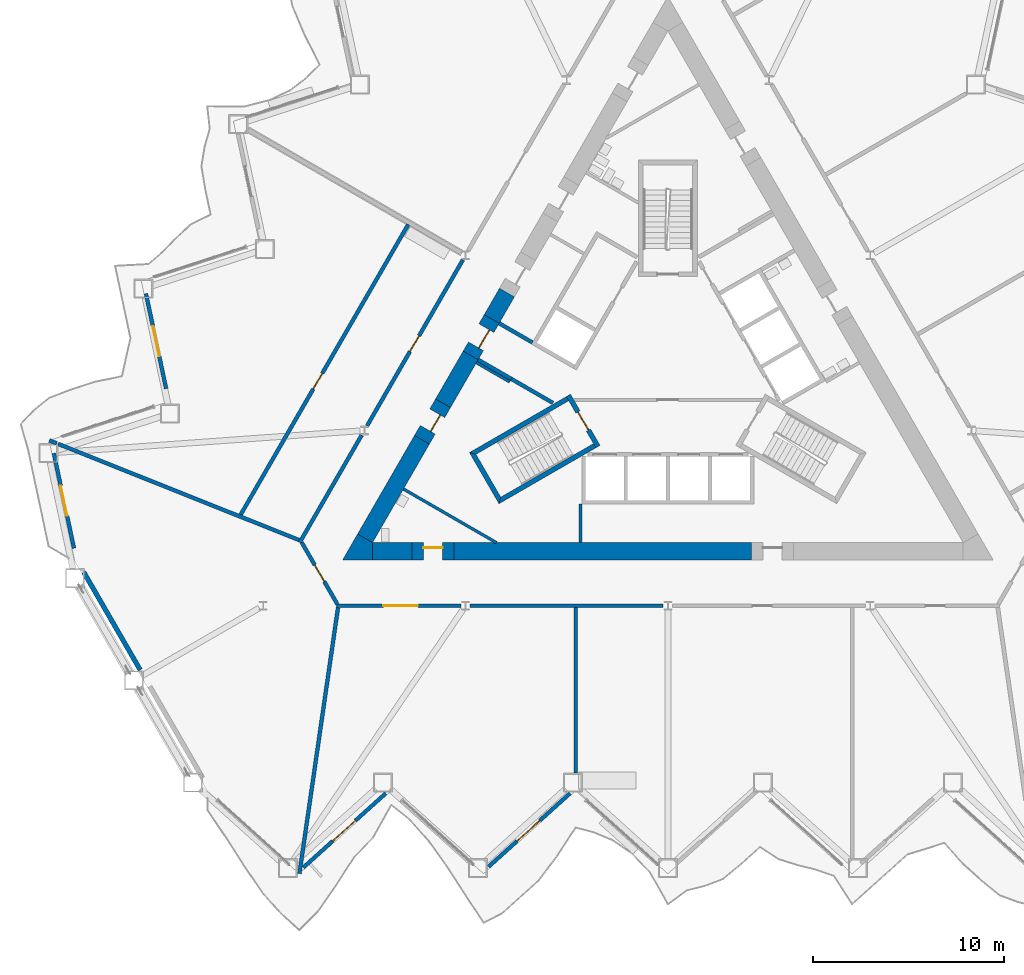
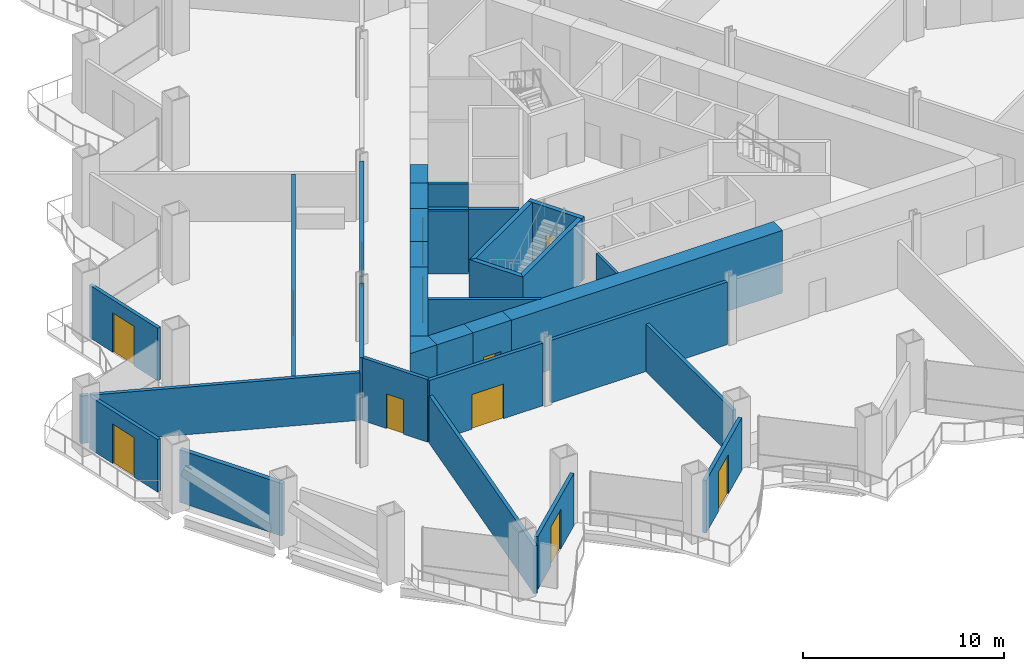
# One storey, part 9 of 20: 34 walls, 12 doors, 12 openings.
"""IFC4 building model written with IfcOpenShell, lengths in metres."""

from ifc_helpers import new_model, si_unit, direction, frame, frame_2d, origin, place, context, subcontext, project, spatial, polyline, rectangle, outline, extrude, material, layer, layer_set, type_object, element, fill, save


model = new_model("IFC4")

# Units and contexts
model_context = context("Model", 3, precision=1e-05, world=origin(), true_north=direction((0.0, 1.0)))
body_context = subcontext(model_context, "Body", "Model", "MODEL_VIEW")
ifc_project = project(units=[si_unit("LENGTHUNIT", "METRE"), si_unit("AREAUNIT", "SQUARE_METRE"), si_unit("VOLUMEUNIT", "CUBIC_METRE"), si_unit("PLANEANGLEUNIT", "RADIAN"), si_unit("MASSUNIT", "GRAM", prefix="KILO")], contexts=[model_context])

# Site, building, storey
site_placement = place(None, origin())
site = spatial("IfcSite", under=ifc_project, at=site_placement, CompositionType="ELEMENT")
building_placement = place(site_placement, origin())
building = spatial("IfcBuilding", under=site, at=building_placement, Name="Cormorant Prow Tower", CompositionType="ELEMENT")
storey_placement = place(building_placement, frame((0.0, 0.0, 34.199951171875)))
storey = spatial("IfcBuildingStorey", under=building, at=storey_placement, Name="L06", CompositionType="ELEMENT", Elevation=34.199951171875)

# Walls
ifc_material_1 = material(Name="Gypsum board partition")
ifc_layer_1 = layer(ifc_material_1, 0.14990234375)
ifc_layer_set_1 = layer_set([ifc_layer_1], Name="Gypsum board partition")
wall_type_1 = type_object("IfcWallType", Name="Core partition 150", PredefinedType="PARTITIONING", material=ifc_layer_set_1)
wall_1_placement = place(storey_placement, frame((-8.268310546875, -0.509033203125, 0.0), z_axis=(0.0, 0.0, 1.0), x_axis=(-0.866035824272, 0.499981950752, 0.0)))
element("IfcWall", 1, at=wall_1_placement, inside=storey, type_object=wall_type_1, Name="Service room partition", PredefinedType="PARTITIONING", context=body_context, shape_type="SweptSolid", body=[
    extrude(rectangle(XDim=2.0087890625, YDim=0.14990234375, at=frame_2d((1.00439453125, 0.0))), origin(), (0.0, 0.0, 1.0), 3.800048828125),
])
wall_2_placement = place(storey_placement, frame((-4.574951171875, -6.906005859375, 0.0), z_axis=(0.0, 0.0, 1.0), x_axis=(0.0, -1.0, 0.0)))
element("IfcWall", 2, at=wall_2_placement, inside=storey, type_object=wall_type_1, Name="Service room partition", PredefinedType="PARTITIONING", context=body_context, shape_type="SweptSolid", body=[
    extrude(rectangle(XDim=2.009033203125, YDim=0.14990234375, at=frame_2d((1.00439453125, 0.0))), origin(), (0.0, 0.0, 1.0), 3.800048828125),
])
wall_3_placement = place(storey_placement, frame((-13.822509765625, -6.111328125, 0.0), z_axis=(0.0, 0.0, 1.0), x_axis=(0.866026802741, -0.499997576928, 0.0)))
element("IfcWall", 3, at=wall_3_placement, inside=storey, type_object=wall_type_1, Name="Service room partition", PredefinedType="PARTITIONING", context=body_context, shape_type="SweptSolid", body=[
    extrude(rectangle(XDim=5.607421875, YDim=0.14990234375, at=frame_2d((2.8037109375, 0.0))), origin(), (0.0, 0.0, 1.0), 3.800048828125),
])
ifc_material_2 = material(Name="Concrete 8000 psi", Category="concrete")
ifc_layer_2 = layer(ifc_material_2, 0.89990234375)
ifc_layer_set_2 = layer_set([ifc_layer_2], Name="Concrete 8000 psi")
wall_type_2 = type_object("IfcWallType", Name="Core shear wall 900", PredefinedType="SHEAR", material=ifc_layer_set_2)
wall_4_placement = place(storey_placement, frame((-11.178955078125, -9.364990234375, 0.0), z_axis=(0.0, 0.0, 1.0), x_axis=(1.0, 0.0, 0.0)))
element("IfcWall", 4, at=wall_4_placement, inside=storey, type_object=wall_type_2, Name="Core wall", PredefinedType="SHEAR", context=body_context, shape_type="SweptSolid", body=[
    extrude(rectangle(XDim=15.549560546875, YDim=0.89990234375, at=frame_2d((7.77490234375, 0.0))), origin(), (0.0, 0.0, 1.0), 3.800048828125),
])
wall_5_placement = place(storey_placement, frame((-15.441162109375, -9.364990234375, 0.0), z_axis=(0.0, 0.0, 1.0), x_axis=(1.0, 0.0, 0.0)))
element("IfcWall", 5, at=wall_5_placement, inside=storey, type_object=wall_type_2, Name="Core wall", PredefinedType="SHEAR", context=body_context, shape_type="SweptSolid", body=[
    extrude(rectangle(XDim=2.062255859375, YDim=0.89990234375, at=frame_2d((1.03125, 0.0))), origin(), (0.0, 0.0, 1.0), 3.800048828125),
])
wall_6_placement = place(storey_placement, frame((-12.85498046875, -3.53564453125, 0.0), z_axis=(0.0, 0.0, 1.0), x_axis=(-0.499999419053, -0.866025739194, 0.0)))
element("IfcWall", 6, at=wall_6_placement, inside=storey, type_object=wall_type_2, Name="Core wall", PredefinedType="SHEAR", context=body_context, shape_type="SweptSolid", body=[
    extrude(rectangle(XDim=5.95166015625, YDim=0.89990234375, at=frame_2d((2.975830078125, 0.0))), origin(), (0.0, 0.0, 1.0), 3.800048828125),
])
wall_7_placement = place(storey_placement, frame((-10.310302734375, 0.8720703125, 0.0), z_axis=(0.0, 0.0, 1.0), x_axis=(-0.499946751862, -0.866056144429, 0.0)))
element("IfcWall", 7, at=wall_7_placement, inside=storey, type_object=wall_type_2, Name="Core wall", PredefinedType="SHEAR", context=body_context, shape_type="SweptSolid", body=[
    extrude(rectangle(XDim=2.889404296875, YDim=0.89990234375, at=frame_2d((1.44482421875, 0.0))), origin(), (0.0, 0.0, 1.0), 3.800048828125),
])
wall_8_placement = place(storey_placement, frame((-8.413330078125, 4.157470703125, 0.0), z_axis=(0.0, 0.0, 1.0), x_axis=(-0.499961121316, -0.86604784924, 0.0)))
element("IfcWall", 8, at=wall_8_placement, inside=storey, type_object=wall_type_2, Name="Core wall", PredefinedType="SHEAR", context=body_context, shape_type="SweptSolid", body=[
    extrude(rectangle(XDim=1.593994140625, YDim=0.89990234375, at=frame_2d((0.796875, 0.0))), origin(), (0.0, 0.0, 1.0), 3.800048828125),
])
wall_9_placement = place(storey_placement, origin())
element("IfcWall", 9, at=wall_9_placement, inside=storey, type_object=wall_type_2, Name="Core wall corner", PredefinedType="SHEAR", context=body_context, shape_type="SweptSolid", body=[
    extrude(outline(polyline([(-16.220703125, -8.465087890625), (-15.441162109375, -8.9150390625), (-15.441162109375, -9.81494140625), (-17.0, -9.81494140625), (-16.220703125, -8.465087890625)])), origin(), (0.0, 0.0, 1.0), 3.800048828125),
])

# Wall, opening, door
wall_10_placement = place(storey_placement, frame((-13.37890625, -9.364990234375, 0.0), z_axis=(0.0, 0.0, 1.0), x_axis=(1.0, 0.0, 0.0)))
wall_10 = element("IfcWall", 10, at=wall_10_placement, inside=storey, type_object=wall_type_2, Name="Core wall door panel", PredefinedType="SHEAR", context=body_context, shape_type="SweptSolid", body=[
    extrude(rectangle(XDim=2.199951171875, YDim=0.89990234375, at=frame_2d((1.10009765625, 0.0))), origin(), (0.0, 0.0, 1.0), 3.800048828125),
])
opening_1_placement = place(wall_10_placement, frame((0.60009765625, 0.0, 0.0)))
opening_1 = element("IfcOpeningElement", 11, at=opening_1_placement, cuts=wall_10, Name="Opening L06-C14", PredefinedType="OPENING", context=body_context, shape_type="SweptSolid", body=[
    extrude(rectangle(XDim=1.0, YDim=2.10009765625, at=frame_2d((0.5, 1.050048828125))), frame((0.0, 0.4599609375, 0.0), z_axis=(0.0, -1.0, 0.0), x_axis=(1.0, 0.0, 0.0)), (0.0, 0.0, 1.0), 0.919921875),
])
ifc_material_3 = material(Name="Painted steel", Category="steel")
door_type_1 = type_object("IfcDoorType", Name="Service door 1000x2100", OperationType="NOTDEFINED", PredefinedType="DOOR", material=ifc_material_3)
door_1_placement = place(opening_1_placement, origin())
door_1 = element("IfcDoor", 12, at=door_1_placement, inside=storey, type_object=door_type_1, Name="Core door, Accessible WC L06", OperationType="SINGLE_SWING_RIGHT", OverallHeight=2.10009765625, OverallWidth=1.0, PredefinedType="DOOR", context=body_context, shape_type="SweptSolid", body=[
    extrude(rectangle(XDim=1.0, YDim=2.10009765625, at=frame_2d((0.5, 1.050048828125))), frame((0.0, 0.205078125, 0.0), z_axis=(0.0, -1.0, 0.0), x_axis=(1.0, 0.0, 0.0)), (0.0, 0.0, 1.0), 0.050048828125),
])
fill(opening_1, door_1)

wall_11_placement = place(storey_placement, frame((-11.7548828125, -1.63037109375, 0.0), z_axis=(0.0, 0.0, 1.0), x_axis=(-0.50002983664, -0.866008176907, 0.0)))
wall_11 = element("IfcWall", 13, at=wall_11_placement, inside=storey, type_object=wall_type_2, Name="Core wall door panel", PredefinedType="SHEAR", context=body_context, shape_type="SweptSolid", body=[
    extrude(rectangle(XDim=2.199951171875, YDim=0.89990234375, at=frame_2d((1.10009765625, 0.0))), origin(), (0.0, 0.0, 1.0), 3.800048828125),
])
opening_2_placement = place(wall_11_placement, frame((0.60009765625, 0.0, 0.0)))
opening_2 = element("IfcOpeningElement", 14, at=opening_2_placement, cuts=wall_11, Name="Opening L06-C16", PredefinedType="OPENING", context=body_context, shape_type="SweptSolid", body=[
    extrude(rectangle(XDim=1.0, YDim=2.10009765625, at=frame_2d((0.5, 1.050048828125))), frame((0.0, 0.4599609375, 0.0), z_axis=(0.0, -1.0, 0.0), x_axis=(1.0, 0.0, 0.0)), (0.0, 0.0, 1.0), 0.919921875),
])
door_2_placement = place(opening_2_placement, origin())
door_2 = element("IfcDoor", 15, at=door_2_placement, inside=storey, type_object=door_type_1, Name="Core door, Linen store", OperationType="SINGLE_SWING_RIGHT", OverallHeight=2.10009765625, OverallWidth=1.0, PredefinedType="DOOR", context=body_context, shape_type="SweptSolid", body=[
    extrude(rectangle(XDim=1.0, YDim=2.10009765625, at=frame_2d((0.5, 1.050048828125))), frame((0.0, 0.205078125, 0.0), z_axis=(0.0, -1.0, 0.0), x_axis=(1.0, 0.0, 0.0)), (0.0, 0.0, 1.0), 0.050048828125),
])
fill(opening_2, door_2)

wall_12_placement = place(storey_placement, frame((-9.210205078125, 2.777099609375, 0.0), z_axis=(0.0, 0.0, 1.0), x_axis=(-0.500077893725, -0.86598042715, 0.0)))
wall_12 = element("IfcWall", 16, at=wall_12_placement, inside=storey, type_object=wall_type_2, Name="Core wall door panel", PredefinedType="SHEAR", context=body_context, shape_type="SweptSolid", body=[
    extrude(rectangle(XDim=2.199951171875, YDim=0.89990234375, at=frame_2d((1.10009765625, 0.0))), origin(), (0.0, 0.0, 1.0), 3.800048828125),
])
opening_3_placement = place(wall_12_placement, frame((0.550048828125, 0.0, 0.0)))
opening_3 = element("IfcOpeningElement", 17, at=opening_3_placement, cuts=wall_12, Name="Opening L06-C22", PredefinedType="OPENING", context=body_context, shape_type="SweptSolid", body=[
    extrude(rectangle(XDim=1.10009765625, YDim=2.10009765625, at=frame_2d((0.550048828125, 1.050048828125))), frame((0.0, 0.4599609375, 0.0), z_axis=(0.0, -1.0, 0.0), x_axis=(1.0, 0.0, 0.0)), (0.0, 0.0, 1.0), 0.919921875),
])
ifc_material_4 = material(Name="Painted steel", Category="steel")
door_type_2 = type_object("IfcDoorType", Name="Core door 1100x2100", OperationType="NOTDEFINED", PredefinedType="DOOR", material=ifc_material_4)
door_3_placement = place(opening_3_placement, origin())
door_3 = element("IfcDoor", 18, at=door_3_placement, inside=storey, type_object=door_type_2, Name="Core door, lift lobby", OperationType="SINGLE_SWING_RIGHT", OverallHeight=2.10009765625, OverallWidth=1.10009765625, PredefinedType="DOOR", context=body_context, shape_type="SweptSolid", body=[
    extrude(rectangle(XDim=1.10009765625, YDim=2.10009765625, at=frame_2d((0.550048828125, 1.050048828125))), frame((0.0, 0.205078125, 0.0), z_axis=(0.0, -1.0, 0.0), x_axis=(1.0, 0.0, 0.0)), (0.0, 0.0, 1.0), 0.050048828125),
])
fill(opening_3, door_3)

# Wall
ifc_material_5 = material(Name="Gypsum board corridor wall")
ifc_layer_3 = layer(ifc_material_5, 0.199951171875)
ifc_layer_set_3 = layer_set([ifc_layer_3], Name="Gypsum board corridor wall")
wall_type_3 = type_object("IfcWallType", Name="Corridor wall 200", PredefinedType="PARTITIONING", material=ifc_layer_set_3)
wall_13_placement = place(storey_placement, frame((-10.336181640625, -12.215087890625, 0.0), z_axis=(0.0, 0.0, 1.0), x_axis=(1.0, 0.0, 0.0)))
element("IfcWall", 19, at=wall_13_placement, inside=storey, type_object=wall_type_3, Name="Corridor wall", PredefinedType="PARTITIONING", context=body_context, shape_type="SweptSolid", body=[
    extrude(rectangle(XDim=10.093994140625, YDim=0.199951171875, at=frame_2d((5.046875, 0.0))), origin(), (0.0, 0.0, 1.0), 3.800048828125),
])

# Wall, opening, door
wall_14_placement = place(storey_placement, frame((-15.727783203125, -2.811279296875, 0.0), z_axis=(0.0, 0.0, 1.0), x_axis=(0.49999175339, 0.866030164915, 0.0)))
wall_14 = element("IfcWall", 20, at=wall_14_placement, inside=storey, type_object=wall_type_3, Name="Corridor wall", PredefinedType="PARTITIONING", context=body_context, shape_type="SweptSolid", body=[
    extrude(rectangle(XDim=10.018798828125, YDim=0.199951171875, at=frame_2d((5.00927734375, 0.0))), origin(), (0.0, 0.0, 1.0), 3.800048828125),
])
opening_4_placement = place(wall_14_placement, frame((4.484130859375, 0.0, 0.0)))
opening_4 = element("IfcOpeningElement", 21, at=opening_4_placement, cuts=wall_14, Name="Opening L06-F12", PredefinedType="OPENING", context=body_context, shape_type="SweptSolid", body=[
    extrude(rectangle(XDim=0.949951171875, YDim=2.10009765625, at=frame_2d((0.47509765625, 1.050048828125))), frame((0.0, 0.10986328125, 0.0), z_axis=(0.0, -1.0, 0.0), x_axis=(1.0, 0.0, 0.0)), (0.0, 0.0, 1.0), 0.219970703125),
])
ifc_material_6 = material(Name="Timber door leaf", Category="wood")
door_type_3 = type_object("IfcDoorType", Name="Store door 950x2100", OperationType="NOTDEFINED", PredefinedType="DOOR", material=ifc_material_6)
door_4_placement = place(opening_4_placement, origin())
door_4 = element("IfcDoor", 22, at=door_4_placement, inside=storey, type_object=door_type_3, Name="Tea point and pantry door", OperationType="SINGLE_SWING_RIGHT", OverallHeight=2.10009765625, OverallWidth=0.949951171875, PredefinedType="DOOR", context=body_context, shape_type="SweptSolid", body=[
    extrude(rectangle(XDim=0.949951171875, YDim=2.10009765625, at=frame_2d((0.47509765625, 1.050048828125))), frame((0.0, 0.02490234375, 0.0), z_axis=(0.0, -1.0, 0.0), x_axis=(1.0, 0.0, 0.0)), (0.0, 0.0, 1.0), 0.050048828125),
])
fill(opening_4, door_4)

wall_15_placement = place(storey_placement, frame((-17.330810546875, -12.215087890625, 0.0), z_axis=(0.0, 0.0, 1.0), x_axis=(1.0, 0.0, 0.0)))
wall_15 = element("IfcWall", 23, at=wall_15_placement, inside=storey, type_object=wall_type_3, Name="Corridor wall", PredefinedType="PARTITIONING", context=body_context, shape_type="SweptSolid", body=[
    extrude(rectangle(XDim=6.510009765625, YDim=0.199951171875, at=frame_2d((3.2548828125, 0.0))), origin(), (0.0, 0.0, 1.0), 3.800048828125),
])
opening_5_placement = place(wall_15_placement, frame((2.455322265625, 0.0, 0.0)))
opening_5 = element("IfcOpeningElement", 24, at=opening_5_placement, cuts=wall_15, Name="Opening L06-F01", PredefinedType="OPENING", context=body_context, shape_type="SweptSolid", body=[
    extrude(rectangle(XDim=1.800048828125, YDim=2.10009765625, at=frame_2d((0.89990234375, 1.050048828125))), frame((0.0, 0.10986328125, 0.0), z_axis=(0.0, -1.0, 0.0), x_axis=(1.0, 0.0, 0.0)), (0.0, 0.0, 1.0), 0.219970703125),
])
ifc_material_7 = material(Name="Timber door leaf", Category="wood")
door_type_4 = type_object("IfcDoorType", Name="Double door 1800x2100", OperationType="DOUBLE_DOOR_SINGLE_SWING", PredefinedType="DOOR", material=ifc_material_7)
door_5_placement = place(opening_5_placement, origin())
door_5 = element("IfcDoor", 25, at=door_5_placement, inside=storey, type_object=door_type_4, Name="Trading room door", OperationType="DOUBLE_DOOR_SINGLE_SWING", OverallHeight=2.10009765625, OverallWidth=1.800048828125, PredefinedType="DOOR", context=body_context, shape_type="SweptSolid", body=[
    extrude(rectangle(XDim=1.800048828125, YDim=2.10009765625, at=frame_2d((0.89990234375, 1.050048828125))), frame((0.0, 0.02490234375, 0.0), z_axis=(0.0, -1.0, 0.0), x_axis=(1.0, 0.0, 0.0)), (0.0, 0.0, 1.0), 0.050048828125),
])
fill(opening_5, door_5)

# Wall
wall_16_placement = place(storey_placement, frame((-19.243896484375, -8.901611328125, 0.0), z_axis=(0.0, 0.0, 1.0), x_axis=(0.499984737558, 0.86603421538, 0.0)))
element("IfcWall", 26, at=wall_16_placement, inside=storey, type_object=wall_type_3, Name="Corridor wall", PredefinedType="PARTITIONING", context=body_context, shape_type="SweptSolid", body=[
    extrude(rectangle(XDim=6.472900390625, YDim=0.199951171875, at=frame_2d((3.236328125, 0.0))), origin(), (0.0, 0.0, 1.0), 3.800048828125),
])

# Wall, opening, door
wall_17_placement = place(storey_placement, frame((-19.143798828125, -8.901611328125, 0.0), z_axis=(0.0, 0.0, 1.0), x_axis=(0.499958791762, -0.866049194065, 0.0)))
wall_17 = element("IfcWall", 27, at=wall_17_placement, inside=storey, type_object=wall_type_3, Name="Corridor wall", PredefinedType="PARTITIONING", context=body_context, shape_type="SweptSolid", body=[
    extrude(rectangle(XDim=3.725830078125, YDim=0.199951171875, at=frame_2d((1.86279296875, 0.0))), origin(), (0.0, 0.0, 1.0), 3.800048828125),
])
opening_6_placement = place(wall_17_placement, frame((1.363037109375, 0.0, 0.0)))
opening_6 = element("IfcOpeningElement", 28, at=opening_6_placement, cuts=wall_17, Name="Opening L06-F14", PredefinedType="OPENING", context=body_context, shape_type="SweptSolid", body=[
    extrude(rectangle(XDim=1.0, YDim=2.10009765625, at=frame_2d((0.5, 1.050048828125))), frame((0.0, 0.10986328125, 0.0), z_axis=(0.0, -1.0, 0.0), x_axis=(1.0, 0.0, 0.0)), (0.0, 0.0, 1.0), 0.219970703125),
])
ifc_material_8 = material(Name="Timber door leaf", Category="wood")
door_type_5 = type_object("IfcDoorType", Name="Office door 1000x2100", OperationType="NOTDEFINED", PredefinedType="DOOR", material=ifc_material_8)
door_6_placement = place(opening_6_placement, origin())
door_6 = element("IfcDoor", 29, at=door_6_placement, inside=storey, type_object=door_type_5, Name="Tenant suite door", OperationType="SINGLE_SWING_LEFT", OverallHeight=2.10009765625, OverallWidth=1.0, PredefinedType="DOOR", context=body_context, shape_type="SweptSolid", body=[
    extrude(rectangle(XDim=1.0, YDim=2.10009765625, at=frame_2d((0.5, 1.050048828125))), frame((0.0, 0.02490234375, 0.0), z_axis=(0.0, -1.0, 0.0), x_axis=(1.0, 0.0, 0.0)), (0.0, 0.0, 1.0), 0.050048828125),
])
fill(opening_6, door_6)

ifc_material_9 = material(Name="Gypsum board demising wall")
ifc_layer_4 = layer(ifc_material_9, 0.199951171875)
ifc_layer_set_4 = layer_set([ifc_layer_4], Name="Gypsum board demising wall")
wall_type_4 = type_object("IfcWallType", Name="Demising wall 200", PredefinedType="PARTITIONING", material=ifc_layer_set_4)
wall_18_placement = place(storey_placement, frame((-22.3349609375, -7.455322265625, 0.0), z_axis=(0.0, 0.0, 1.0), x_axis=(0.499997414609, 0.866026896456, 0.0)))
wall_18 = element("IfcWall", 30, at=wall_18_placement, inside=storey, type_object=wall_type_4, Name="Demising wall", PredefinedType="PARTITIONING", context=body_context, shape_type="SweptSolid", body=[
    extrude(rectangle(XDim=17.52392578125, YDim=0.199951171875, at=frame_2d((8.761962890625, 0.0))), origin(), (0.0, 0.0, 1.0), 2.88525390625),
])
opening_7_placement = place(wall_18_placement, frame((7.583740234375, 0.0, 0.0)))
opening_7 = element("IfcOpeningElement", 31, at=opening_7_placement, cuts=wall_18, Name="Opening L06-F13", PredefinedType="OPENING", context=body_context, shape_type="SweptSolid", body=[
    extrude(rectangle(XDim=0.949951171875, YDim=2.10009765625, at=frame_2d((0.47509765625, 1.050048828125))), frame((0.0, 0.10986328125, 0.0), z_axis=(0.0, -1.0, 0.0), x_axis=(1.0, 0.0, 0.0)), (0.0, 0.0, 1.0), 0.219970703125),
])
door_7_placement = place(opening_7_placement, origin())
door_7 = element("IfcDoor", 32, at=door_7_placement, inside=storey, type_object=door_type_3, Name="Print and copy room door", OperationType="SINGLE_SWING_RIGHT", OverallHeight=2.10009765625, OverallWidth=0.949951171875, PredefinedType="DOOR", context=body_context, shape_type="SweptSolid", body=[
    extrude(rectangle(XDim=0.949951171875, YDim=2.10009765625, at=frame_2d((0.47509765625, 1.050048828125))), frame((0.0, 0.02490234375, 0.0), z_axis=(0.0, -1.0, 0.0), x_axis=(1.0, 0.0, 0.0)), (0.0, 0.0, 1.0), 0.050048828125),
])
fill(opening_7, door_7)

# Walls
wall_19_placement = place(storey_placement, frame((-19.261962890625, -26.218994140625, 0.0), z_axis=(0.0, 0.0, 1.0), x_axis=(0.143525263071, 0.989646653539, 0.0)))
element("IfcWall", 33, at=wall_19_placement, inside=storey, type_object=wall_type_4, Name="Demising wall", PredefinedType="PARTITIONING", context=body_context, shape_type="SweptSolid", body=[
    extrude(rectangle(XDim=14.050537109375, YDim=0.199951171875, at=frame_2d((7.025390625, 0.0))), origin(), (0.0, 0.0, 1.0), 2.88525390625),
])
wall_20_placement = place(storey_placement, frame((-31.87939453125, -3.75439453125, 0.0), z_axis=(0.0, 0.0, 1.0), x_axis=(0.928821541656, -0.370527385973, 0.0)))
element("IfcWall", 34, at=wall_20_placement, inside=storey, type_object=wall_type_4, Name="Demising wall", PredefinedType="PARTITIONING", context=body_context, shape_type="SweptSolid", body=[
    extrude(rectangle(XDim=13.5576171875, YDim=0.199951171875, at=frame_2d((6.77880859375, 0.0))), origin(), (0.0, 0.0, 1.0), 2.88525390625),
])
wall_21_placement = place(storey_placement, frame((-4.817626953125, -20.949951171875, 0.0), z_axis=(0.0, 0.0, 1.0), x_axis=(0.0, 1.0, 0.0)))
element("IfcWall", 35, at=wall_21_placement, inside=storey, type_object=wall_type_4, Name="Demising wall", PredefinedType="PARTITIONING", context=body_context, shape_type="SweptSolid", body=[
    extrude(rectangle(XDim=8.635009765625, YDim=0.199951171875, at=frame_2d((4.3173828125, 0.0))), origin(), (0.0, 0.0, 1.0), 2.88525390625),
])
wall_22_placement = place(storey_placement, frame((-32.337158203125, -3.57177734375, 0.0), z_axis=(0.0, 0.0, 1.0), x_axis=(0.928757356094, -0.370688243003, 0.0)))
element("IfcWall", 36, at=wall_22_placement, inside=storey, type_object=wall_type_4, Name="Demising wall", PredefinedType="PARTITIONING", context=body_context, shape_type="SweptSolid", body=[
    extrude(rectangle(XDim=0.41943359375, YDim=0.199951171875, at=frame_2d((0.209716796875, 0.0))), origin(), (0.0, 0.0, 1.0), 2.88525390625),
])
ifc_material_10 = material(Name="Concrete 8000 psi", Category="concrete")
ifc_layer_5 = layer(ifc_material_10, 0.199951171875)
ifc_layer_set_5 = layer_set([ifc_layer_5], Name="Concrete 8000 psi")
wall_type_5 = type_object("IfcWallType", Name="Lift shaft wall 200", PredefinedType="SHEAR", material=ifc_layer_set_5)
wall_23_placement = place(storey_placement, origin())
element("IfcWall", 37, at=wall_23_placement, inside=storey, type_object=wall_type_5, Name="Lift shaft walls, WNW block", PredefinedType="SHEAR", context=body_context, shape_type="SweptSolid", body=[
    extrude(outline(polyline([(-6.060546875, -1.697021484375), (-8.230712890625, -0.444091796875), (-8.130859375, -0.27099609375), (-5.96044921875, -1.52392578125), (-6.060546875, -1.697021484375)])), origin(), (0.0, 0.0, 1.0), 3.800048828125),
])
wall_24_placement = place(storey_placement, frame((-7.080810546875, 1.547607421875, 0.0), z_axis=(0.0, 0.0, 1.0), x_axis=(-0.865983199114, 0.50007309351, 0.0)))
element("IfcWall", 38, at=wall_24_placement, inside=storey, type_object=wall_type_5, Name="Lobby passage wall", PredefinedType="SHEAR", context=body_context, shape_type="SweptSolid", body=[
    extrude(rectangle(XDim=2.009033203125, YDim=0.199951171875, at=frame_2d((1.00439453125, 0.0))), origin(), (0.0, 0.0, 1.0), 3.800048828125),
])
wall_25_placement = place(storey_placement, frame((-8.180908203125, -0.357421875, 0.0), z_axis=(0.0, 0.0, 1.0), x_axis=(-0.866035824272, 0.499981950752, 0.0)))
element("IfcWall", 39, at=wall_25_placement, inside=storey, type_object=wall_type_5, Name="Lobby passage wall", PredefinedType="SHEAR", context=body_context, shape_type="SweptSolid", body=[
    extrude(rectangle(XDim=2.0087890625, YDim=0.199951171875, at=frame_2d((1.00439453125, 0.0))), origin(), (0.0, 0.0, 1.0), 3.800048828125),
])
ifc_material_11 = material(Name="Concrete 8000 psi", Category="concrete")
ifc_layer_6 = layer(ifc_material_11, 0.25)
ifc_layer_set_6 = layer_set([ifc_layer_6], Name="Concrete 8000 psi")
wall_type_6 = type_object("IfcWallType", Name="Stair wall 250", PredefinedType="SHEAR", material=ifc_layer_set_6)
wall_26_placement = place(storey_placement, origin())
element("IfcWall", 40, at=wall_26_placement, inside=storey, type_object=wall_type_6, Name="Stair ST1 enclosure wall (flank)", PredefinedType="SHEAR", context=body_context, shape_type="SweptSolid", body=[
    extrude(outline(polyline([(-5.30712890625, -1.28125), (-10.37353515625, -4.206298828125), (-10.031982421875, -4.2978515625), (-5.18212890625, -1.497802734375), (-5.30712890625, -1.28125)])), origin(), (0.0, 0.0, 1.0), 3.800048828125),
])
wall_27_placement = place(storey_placement, origin())
element("IfcWall", 41, at=wall_27_placement, inside=storey, type_object=wall_type_6, Name="Stair ST1 enclosure wall (end)", PredefinedType="SHEAR", context=body_context, shape_type="SweptSolid", body=[
    extrude(outline(polyline([(-10.37353515625, -4.206298828125), (-8.82958984375, -6.880615234375), (-8.738037109375, -6.5390625), (-10.031982421875, -4.2978515625), (-10.37353515625, -4.206298828125)])), origin(), (0.0, 0.0, 1.0), 3.800048828125),
])
wall_28_placement = place(storey_placement, origin())
element("IfcWall", 42, at=wall_28_placement, inside=storey, type_object=wall_type_6, Name="Stair ST1 enclosure wall (flank)", PredefinedType="SHEAR", context=body_context, shape_type="SweptSolid", body=[
    extrude(outline(polyline([(-8.738037109375, -6.5390625), (-8.82958984375, -6.880615234375), (-3.76318359375, -3.95556640625), (-3.88818359375, -3.739013671875), (-8.738037109375, -6.5390625)])), origin(), (0.0, 0.0, 1.0), 3.800048828125),
])

# Wall, opening, door
wall_29_placement = place(storey_placement, frame((-5.198974609375, -1.21875, 0.0), z_axis=(0.0, 0.0, 1.0), x_axis=(0.499982516597, -0.866035497597, 0.0)))
wall_29 = element("IfcWall", 43, at=wall_29_placement, inside=storey, type_object=wall_type_6, Name="Stair ST1 door wall", PredefinedType="SHEAR", context=body_context, shape_type="SweptSolid", body=[
    extrude(rectangle(XDim=3.087890625, YDim=0.25, at=frame_2d((1.5439453125, 0.0))), origin(), (0.0, 0.0, 1.0), 3.800048828125),
])
opening_8_placement = place(wall_29_placement, frame((0.993896484375, 0.0, 0.0)))
opening_8 = element("IfcOpeningElement", 44, at=opening_8_placement, cuts=wall_29, Name="Opening L06-C11", PredefinedType="OPENING", context=body_context, shape_type="SweptSolid", body=[
    extrude(rectangle(XDim=1.10009765625, YDim=2.10009765625, at=frame_2d((0.550048828125, 1.050048828125))), frame((0.0, 0.135009765625, 0.0), z_axis=(0.0, -1.0, 0.0), x_axis=(1.0, 0.0, 0.0)), (0.0, 0.0, 1.0), 0.27001953125),
])
ifc_material_12 = material(Name="Painted steel", Category="steel")
door_type_6 = type_object("IfcDoorType", Name="Stair door 1100x2100", OperationType="NOTDEFINED", PredefinedType="DOOR", material=ifc_material_12)
door_8_placement = place(opening_8_placement, origin())
door_8 = element("IfcDoor", 45, at=door_8_placement, inside=storey, type_object=door_type_6, Name="Stair ST1 door", OperationType="SINGLE_SWING_LEFT", OverallHeight=2.10009765625, OverallWidth=1.10009765625, PredefinedType="DOOR", context=body_context, shape_type="SweptSolid", body=[
    extrude(rectangle(XDim=1.10009765625, YDim=2.10009765625, at=frame_2d((0.550048828125, 1.050048828125))), frame((0.0, 0.02490234375, 0.0), z_axis=(0.0, -1.0, 0.0), x_axis=(1.0, 0.0, 0.0)), (0.0, 0.0, 1.0), 0.050048828125),
])
fill(opening_8, door_8)

# Wall
ifc_material_13 = material(Name="Terracotta", Category="masonry")
ifc_layer_7 = layer(ifc_material_13, 0.25)
ifc_layer_set_7 = layer_set([ifc_layer_7], Name="Terracotta")
wall_type_7 = type_object("IfcWallType", Name="Terracotta bay wall 250", PredefinedType="SOLIDWALL", material=ifc_layer_set_7)
wall_30_placement = place(storey_placement, frame((-30.540283203125, -10.462646484375, 0.0), z_axis=(0.0, 0.0, 1.0), x_axis=(0.500010498135, -0.866019342599, 0.0)))
element("IfcWall", 46, at=wall_30_placement, inside=storey, type_object=wall_type_7, Name="Terracotta bay wall WSW00", PredefinedType="SOLIDWALL", context=body_context, shape_type="SweptSolid", body=[
    extrude(rectangle(XDim=5.893798828125, YDim=0.25, at=frame_2d((2.94677734375, 0.0))), origin(), (0.0, 0.0, 1.0), 3.18896484375),
])

# Wall, opening, door
ifc_material_14 = material(Name="Terracotta", Category="masonry")
ifc_layer_8 = layer(ifc_material_14, 0.199951171875)
ifc_layer_set_8 = layer_set([ifc_layer_8], Name="Terracotta")
wall_type_8 = type_object("IfcWallType", Name="Terracotta jamb wall 200", PredefinedType="SOLIDWALL", material=ifc_layer_set_8)
wall_31_placement = place(storey_placement, frame((-19.0517578125, -25.89501953125, 0.0), z_axis=(0.0, 0.0, 1.0), x_axis=(0.743145322323, 0.669130054556, 0.0)))
wall_31 = element("IfcWall", 47, at=wall_31_placement, inside=storey, type_object=wall_type_8, Name="Terracotta jamb wall S01", PredefinedType="SOLIDWALL", context=body_context, shape_type="SweptSolid", body=[
    extrude(rectangle(XDim=5.792236328125, YDim=0.199951171875, at=frame_2d((2.89599609375, 0.0))), origin(), (0.0, 0.0, 1.0), 3.18896484375),
])
opening_9_placement = place(wall_31_placement, frame((2.057373046875, 0.0, 0.0)))
opening_9 = element("IfcOpeningElement", 48, at=opening_9_placement, cuts=wall_31, Name="Opening ED06.01", PredefinedType="OPENING", context=body_context, shape_type="SweptSolid", body=[
    extrude(rectangle(XDim=1.60009765625, YDim=2.39990234375, at=frame_2d((0.800048828125, 1.199951171875))), frame((0.0, 0.10986328125, 0.0), z_axis=(0.0, -1.0, 0.0), x_axis=(1.0, 0.0, 0.0)), (0.0, 0.0, 1.0), 0.219970703125),
])
ifc_material_15 = material(Name="Aluminium 6063-T6", Category="aluminium")
door_type_7 = type_object("IfcDoorType", Name="Balcony door 1600x2400", OperationType="DOUBLE_DOOR_SINGLE_SWING", PredefinedType="DOOR", material=ifc_material_15)
door_9_placement = place(opening_9_placement, origin())
door_9 = element("IfcDoor", 49, at=door_9_placement, inside=storey, type_object=door_type_7, Name="Balcony door S01 ED06.01", OperationType="DOUBLE_DOOR_SINGLE_SWING", OverallHeight=2.39990234375, OverallWidth=1.60009765625, PredefinedType="DOOR", context=body_context, shape_type="SweptSolid", body=[
    extrude(rectangle(XDim=1.60009765625, YDim=2.39990234375, at=frame_2d((0.800048828125, 1.199951171875))), frame((0.0, 0.02490234375, 0.0), z_axis=(0.0, -1.0, 0.0), x_axis=(1.0, 0.0, 0.0)), (0.0, 0.0, 1.0), 0.050048828125),
])
fill(opening_9, door_9)

wall_32_placement = place(storey_placement, frame((-9.378662109375, -25.86083984375, 0.0), z_axis=(0.0, 0.0, 1.0), x_axis=(0.743135535271, 0.669140924034, 0.0)))
wall_32 = element("IfcWall", 50, at=wall_32_placement, inside=storey, type_object=wall_type_8, Name="Terracotta jamb wall S03", PredefinedType="SOLIDWALL", context=body_context, shape_type="SweptSolid", body=[
    extrude(rectangle(XDim=5.740966796875, YDim=0.199951171875, at=frame_2d((2.87060546875, 0.0))), origin(), (0.0, 0.0, 1.0), 3.18896484375),
])
opening_10_placement = place(wall_32_placement, frame((2.006103515625, 0.0, 0.0)))
opening_10 = element("IfcOpeningElement", 51, at=opening_10_placement, cuts=wall_32, Name="Opening ED06.02", PredefinedType="OPENING", context=body_context, shape_type="SweptSolid", body=[
    extrude(rectangle(XDim=1.60009765625, YDim=2.39990234375, at=frame_2d((0.800048828125, 1.199951171875))), frame((0.0, 0.10986328125, 0.0), z_axis=(0.0, -1.0, 0.0), x_axis=(1.0, 0.0, 0.0)), (0.0, 0.0, 1.0), 0.219970703125),
])
door_10_placement = place(opening_10_placement, origin())
door_10 = element("IfcDoor", 52, at=door_10_placement, inside=storey, type_object=door_type_7, Name="Balcony door S03 ED06.02", OperationType="DOUBLE_DOOR_SINGLE_SWING", OverallHeight=2.39990234375, OverallWidth=1.60009765625, PredefinedType="DOOR", context=body_context, shape_type="SweptSolid", body=[
    extrude(rectangle(XDim=1.60009765625, YDim=2.39990234375, at=frame_2d((0.800048828125, 1.199951171875))), frame((0.0, 0.02490234375, 0.0), z_axis=(0.0, -1.0, 0.0), x_axis=(1.0, 0.0, 0.0)), (0.0, 0.0, 1.0), 0.050048828125),
])
fill(opening_10, door_10)

wall_33_placement = place(storey_placement, frame((-27.286376953125, 4.10205078125, 0.0), z_axis=(0.0, 0.0, 1.0), x_axis=(0.207949057422, -0.978139657471, 0.0)))
wall_33 = element("IfcWall", 53, at=wall_33_placement, inside=storey, type_object=wall_type_8, Name="Terracotta jamb wall WNW07", PredefinedType="SOLIDWALL", context=body_context, shape_type="SweptSolid", body=[
    extrude(rectangle(XDim=5.07666015625, YDim=0.199951171875, at=frame_2d((2.538330078125, 0.0))), origin(), (0.0, 0.0, 1.0), 3.18896484375),
])
opening_11_placement = place(wall_33_placement, frame((1.73828125, 0.0, 0.0)))
opening_11 = element("IfcOpeningElement", 54, at=opening_11_placement, cuts=wall_33, Name="Opening ED06.14", PredefinedType="OPENING", context=body_context, shape_type="SweptSolid", body=[
    extrude(rectangle(XDim=1.60009765625, YDim=2.39990234375, at=frame_2d((0.800048828125, 1.199951171875))), frame((0.0, 0.10986328125, 0.0), z_axis=(0.0, -1.0, 0.0), x_axis=(1.0, 0.0, 0.0)), (0.0, 0.0, 1.0), 0.219970703125),
])
door_11_placement = place(opening_11_placement, origin())
door_11 = element("IfcDoor", 55, at=door_11_placement, inside=storey, type_object=door_type_7, Name="Balcony door WNW07 ED06.14", OperationType="DOUBLE_DOOR_SINGLE_SWING", OverallHeight=2.39990234375, OverallWidth=1.60009765625, PredefinedType="DOOR", context=body_context, shape_type="SweptSolid", body=[
    extrude(rectangle(XDim=1.60009765625, YDim=2.39990234375, at=frame_2d((0.800048828125, 1.199951171875))), frame((0.0, 0.02490234375, 0.0), z_axis=(0.0, -1.0, 0.0), x_axis=(1.0, 0.0, 0.0)), (0.0, 0.0, 1.0), 0.050048828125),
])
fill(opening_11, door_11)

wall_34_placement = place(storey_placement, frame((-32.103759765625, -4.2421875, 0.0), z_axis=(0.0, 0.0, 1.0), x_axis=(0.207903044531, -0.978149438519, 0.0)))
wall_34 = element("IfcWall", 56, at=wall_34_placement, inside=storey, type_object=wall_type_8, Name="Terracotta jamb wall WNW09", PredefinedType="SOLIDWALL", context=body_context, shape_type="SweptSolid", body=[
    extrude(rectangle(XDim=5.076416015625, YDim=0.199951171875, at=frame_2d((2.5380859375, 0.0))), origin(), (0.0, 0.0, 1.0), 3.18896484375),
])
opening_12_placement = place(wall_34_placement, frame((1.73828125, 0.0, 0.0)))
opening_12 = element("IfcOpeningElement", 57, at=opening_12_placement, cuts=wall_34, Name="Opening ED06.15", PredefinedType="OPENING", context=body_context, shape_type="SweptSolid", body=[
    extrude(rectangle(XDim=1.60009765625, YDim=2.39990234375, at=frame_2d((0.800048828125, 1.199951171875))), frame((0.0, 0.10986328125, 0.0), z_axis=(0.0, -1.0, 0.0), x_axis=(1.0, 0.0, 0.0)), (0.0, 0.0, 1.0), 0.219970703125),
])
door_12_placement = place(opening_12_placement, origin())
door_12 = element("IfcDoor", 58, at=door_12_placement, inside=storey, type_object=door_type_7, Name="Balcony door WNW09 ED06.15", OperationType="DOUBLE_DOOR_SINGLE_SWING", OverallHeight=2.39990234375, OverallWidth=1.60009765625, PredefinedType="DOOR", context=body_context, shape_type="SweptSolid", body=[
    extrude(rectangle(XDim=1.60009765625, YDim=2.39990234375, at=frame_2d((0.800048828125, 1.199951171875))), frame((0.0, 0.02490234375, 0.0), z_axis=(0.0, -1.0, 0.0), x_axis=(1.0, 0.0, 0.0)), (0.0, 0.0, 1.0), 0.050048828125),
])
fill(opening_12, door_12)

save(model, "model.ifc")
